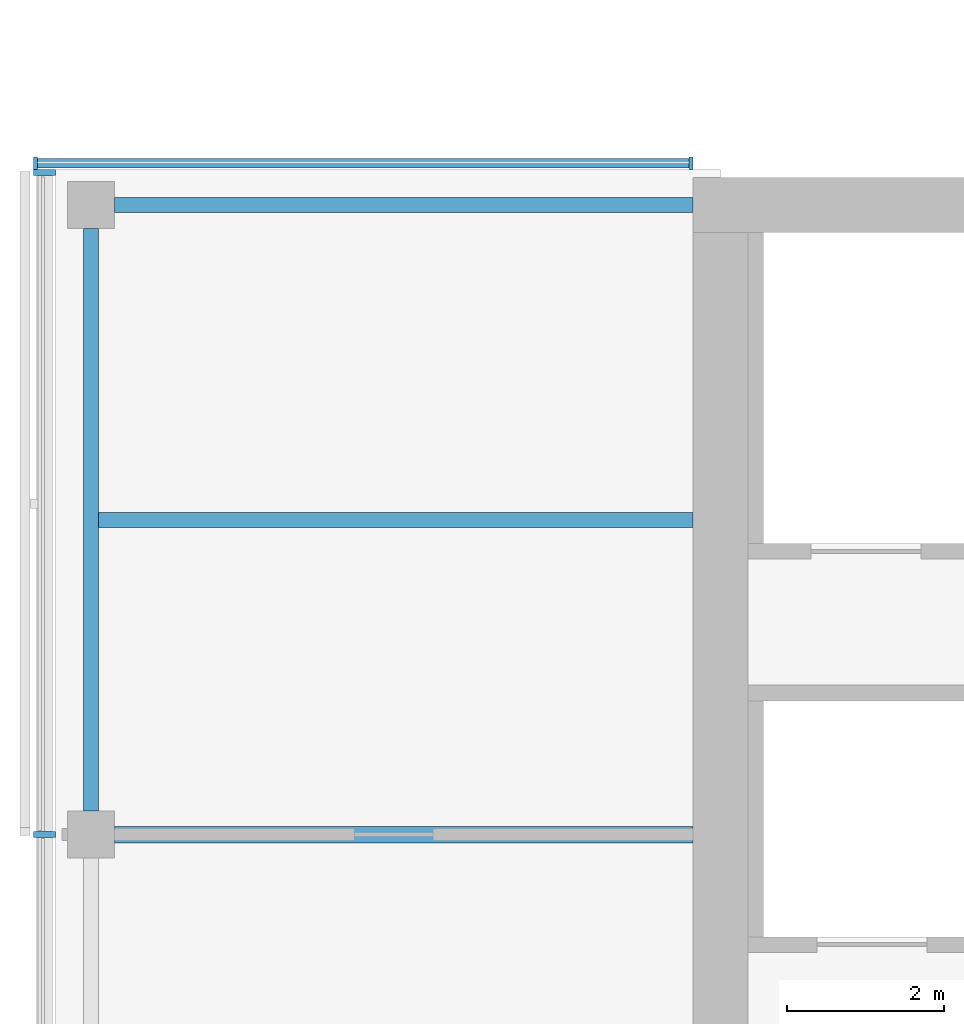
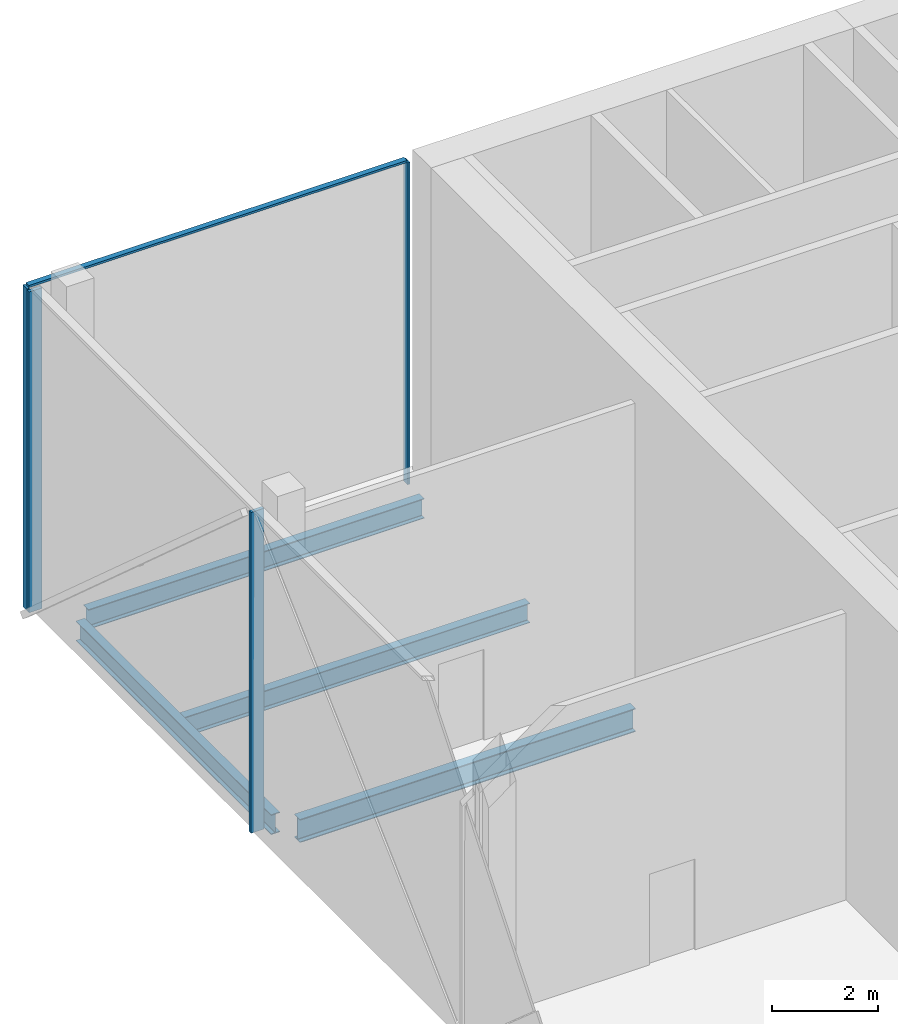
# One storey, part 5 of 20: 5 members, 4 beams, 2 elements without a shape of their own.
"""IFC4 building model written with IfcOpenShell, lengths in metres."""

from ifc_helpers import new_model, si_unit, direction, frame, origin, origin_2d, place, context, subcontext, project, spatial, rectangle, i_section, extrude, material, material_profile, profile_set, type_object, element, aggregate, save


model = new_model("IFC4")

# Units and contexts
model_context = context("Model", 3, precision=1e-05, world=origin(), true_north=direction((0.0, 1.0)))
body_context = subcontext(model_context, "Body", "Model", "MODEL_VIEW")
ifc_project = project(units=[si_unit("LENGTHUNIT", "METRE"), si_unit("AREAUNIT", "SQUARE_METRE"), si_unit("VOLUMEUNIT", "CUBIC_METRE"), si_unit("PLANEANGLEUNIT", "RADIAN"), si_unit("MASSUNIT", "GRAM", prefix="KILO")], contexts=[model_context])

# Site, building, storey
site_placement = place(None, origin())
site = spatial("IfcSite", under=ifc_project, at=site_placement, CompositionType="ELEMENT")
building_placement = place(site_placement, origin())
building = spatial("IfcBuilding", under=site, at=building_placement, Name="Crosswind Convention Tower", CompositionType="ELEMENT")
storey_placement = place(building_placement, frame((0.0, 0.0, 171.5)))
storey = spatial("IfcBuildingStorey", under=building, at=storey_placement, Name="L36", CompositionType="ELEMENT", Elevation=171.5)

# Beams
ifc_material_1 = material(Name="Steel S355", Category="steel")
ifc_material_profile_1 = material_profile(ifc_material_1, i_section(OverallWidth=0.19140625, OverallDepth=0.460205078125, WebThickness=0.010009765625, FlangeThickness=0.01611328125, FilletRadius=0.01025390625, at=origin_2d()), Name="UB 457x191x82")
ifc_profile_set_1 = profile_set([ifc_material_profile_1], Name="Steel S355")
beam_type_1 = type_object("IfcBeamType", Name="Edge beam UB 457x191x82", PredefinedType="SPANDREL", material=ifc_profile_set_1)
beam_1_placement = place(storey_placement, frame((89.0, 104.300048828125, -0.630126953125), z_axis=(0.0, 1.0, 0.0), x_axis=(-1.0, 0.0, 0.0)))
element("IfcBeam", 1, at=beam_1_placement, inside=storey, type_object=beam_type_1, Name="B18 L36 edge beam 3", PredefinedType="SPANDREL", context=body_context, shape_type="SweptSolid", body=[
    extrude(i_section(OverallWidth=0.19140625, OverallDepth=0.460205078125, WebThickness=0.010009765625, FlangeThickness=0.01611328125, FilletRadius=0.01025390625, at=origin_2d()), origin(), (0.0, 0.0, 1.0), 7.39990234375),
])
beam_2_placement = place(storey_placement, frame((89.300048828125, 112.0, -0.630126953125), z_axis=(1.0, 0.0, 0.0), x_axis=(0.0, 1.0, 0.0)))
element("IfcBeam", 2, at=beam_2_placement, inside=storey, type_object=beam_type_1, Name="B18 L36 edge beam 5", PredefinedType="SPANDREL", context=body_context, shape_type="SweptSolid", body=[
    extrude(i_section(OverallWidth=0.19140625, OverallDepth=0.460205078125, WebThickness=0.010009765625, FlangeThickness=0.01611328125, FilletRadius=0.01025390625, at=origin_2d()), origin(), (0.0, 0.0, 1.0), 7.349853515625),
])
ifc_material_profile_2 = material_profile(ifc_material_1, i_section(OverallWidth=0.210693359375, OverallDepth=0.53955078125, WebThickness=0.01171875, FlangeThickness=0.018798828125, FilletRadius=0.0126953125, at=origin_2d()), Name="UB 533x210x109")
ifc_profile_set_2 = profile_set([ifc_material_profile_2], Name="Steel S355")
beam_type_2 = type_object("IfcBeamType", Name="Girder at core wall UB 533x210x109", PredefinedType="BEAM", material=ifc_profile_set_2)
beam_3_placement = place(storey_placement, frame((89.300048828125, 104.0, -0.669677734375), z_axis=(1.0, 0.0, 0.0), x_axis=(0.0, 1.0, 0.0)))
element("IfcBeam", 3, at=beam_3_placement, inside=storey, type_object=beam_type_2, Name="B25 L36 girder at core wall 2", PredefinedType="BEAM", context=body_context, shape_type="SweptSolid", body=[
    extrude(i_section(OverallWidth=0.210693359375, OverallDepth=0.53955078125, WebThickness=0.01171875, FlangeThickness=0.018798828125, FilletRadius=0.0126953125, at=origin_2d()), origin(), (0.0, 0.0, 1.0), 7.349853515625),
])

# Curtain wall, members
ifc_material_2 = material(Name="Aluminium unitised curtain wall", Category="aluminium")
curtain_wall_type_1 = type_object("IfcCurtainWallType", Name="CORE END SLOT WALL 160", PredefinedType="USERDEFINED", material=ifc_material_2)
curtain_wall_1_placement = place(storey_placement, origin())
curtain_wall_1 = element("IfcCurtainWall", 4, at=curtain_wall_1_placement, inside=storey, type_object=curtain_wall_type_1, Name="CW6 L36 W-N.2-1 slot", ObjectType="UNITISED", PredefinedType="USERDEFINED")
ifc_material_3 = material(Name="Aluminium mullion", Category="aluminium")
ifc_material_profile_3 = material_profile(ifc_material_3, rectangle(XDim=0.159912109375, YDim=0.050048828125, at=origin_2d()), Name="AL 160X50")
ifc_profile_set_3 = profile_set([ifc_material_profile_3], Name="Aluminium mullion")
member_type_1 = type_object("IfcMemberType", Name="MULLION 50X160", PredefinedType="MULLION", material=ifc_profile_set_3)
member_1_placement = place(storey_placement, frame((96.625, 112.530029296875, -0.39990234375), z_axis=(0.0, 0.0, 1.0), x_axis=(0.0, 1.0, 0.0)))
member_1 = element("IfcMember", 5, at=member_1_placement, type_object=member_type_1, Name="CW6 mullion 1", PredefinedType="MULLION", context=body_context, shape_type="SweptSolid", body=[
    extrude(rectangle(XDim=0.159912109375, YDim=0.050048828125, at=origin_2d()), origin(), (0.0, 0.0, 1.0), 7.449951171875),
])
member_2_placement = place(storey_placement, frame((88.294921875, 112.530029296875, -0.39990234375), z_axis=(0.0, 0.0, 1.0), x_axis=(0.0, 1.0, 0.0)))
member_2 = element("IfcMember", 6, at=member_2_placement, type_object=member_type_1, Name="CW6 mullion 2", PredefinedType="MULLION", context=body_context, shape_type="SweptSolid", body=[
    extrude(rectangle(XDim=0.159912109375, YDim=0.050048828125, at=origin_2d()), origin(), (0.0, 0.0, 1.0), 7.449951171875),
])

curtain_wall_type_2 = type_object("IfcCurtainWallType", Name="SKY LOBBY AND LOUNGE WALL 280", PredefinedType="USERDEFINED", material=ifc_material_2)
curtain_wall_2_placement = place(storey_placement, origin())
curtain_wall_2 = element("IfcCurtainWall", 7, at=curtain_wall_2_placement, inside=storey, type_object=curtain_wall_type_2, Name="CW4 L36 W-TIP 1", ObjectType="UNITISED", PredefinedType="USERDEFINED")
ifc_material_profile_4 = material_profile(ifc_material_3, rectangle(XDim=0.280029296875, YDim=0.074951171875, at=origin_2d()), Name="AL 280X75")
ifc_profile_set_4 = profile_set([ifc_material_profile_4], Name="Aluminium mullion")
member_type_2 = type_object("IfcMemberType", Name="MULLION 75X280", PredefinedType="MULLION", material=ifc_profile_set_4)
member_3_placement = place(storey_placement, frame((88.409912109375, 112.41259765625, -0.39990234375), z_axis=(0.0, 0.0, 1.0), x_axis=(-1.0, 0.0, 0.0)))
member_3 = element("IfcMember", 8, at=member_3_placement, type_object=member_type_2, Name="CW4 mullion 1", PredefinedType="MULLION", context=body_context, shape_type="SweptSolid", body=[
    extrude(rectangle(XDim=0.280029296875, YDim=0.074951171875, at=origin_2d()), origin(), (0.0, 0.0, 1.0), 7.4248046875),
])
member_4_placement = place(storey_placement, frame((88.409912109375, 104.0, -0.39990234375), z_axis=(0.0, 0.0, 1.0), x_axis=(-1.0, 0.0, 0.0)))
member_4 = element("IfcMember", 9, at=member_4_placement, type_object=member_type_2, Name="CW4 mullion 2", PredefinedType="MULLION", context=body_context, shape_type="SweptSolid", body=[
    extrude(rectangle(XDim=0.280029296875, YDim=0.074951171875, at=origin_2d()), origin(), (0.0, 0.0, 1.0), 7.4248046875),
])
aggregate(curtain_wall_2, [member_3, member_4])

# Beam
ifc_material_profile_5 = material_profile(ifc_material_1, i_section(OverallWidth=0.18994140625, OverallDepth=0.45361328125, WebThickness=0.008544921875, FlangeThickness=0.0126953125, FilletRadius=0.01025390625, at=origin_2d()), Name="UB 457x191x67")
ifc_profile_set_5 = profile_set([ifc_material_profile_5], Name="Steel S355")
beam_type_3 = type_object("IfcBeamType", Name="Secondary beam UB 457x191x67", PredefinedType="JOIST", material=ifc_profile_set_5)
beam_4_placement = place(storey_placement, frame((89.095703125, 108.0, -0.626708984375), z_axis=(1.0, 0.0, 0.0), x_axis=(0.0, 1.0, 0.0)))
element("IfcBeam", 10, at=beam_4_placement, inside=storey, type_object=beam_type_3, Name="B11 L36 secondary beam 3", PredefinedType="JOIST", context=body_context, shape_type="SweptSolid", body=[
    extrude(i_section(OverallWidth=0.18994140625, OverallDepth=0.45361328125, WebThickness=0.008544921875, FlangeThickness=0.0126953125, FilletRadius=0.01025390625, at=origin_2d()), origin(), (0.0, 0.0, 1.0), 7.55419921875),
])

# Member
ifc_material_4 = material(Name="Aluminium transom", Category="aluminium")
ifc_material_profile_6 = material_profile(ifc_material_4, rectangle(XDim=0.1201171875, YDim=0.050048828125, at=origin_2d()), Name="AL 120X50")
ifc_profile_set_6 = profile_set([ifc_material_profile_6], Name="Aluminium transom")
member_type_3 = type_object("IfcMemberType", Name="TRANSOM 50X120", PredefinedType="USERDEFINED", material=ifc_profile_set_6)
member_5_placement = place(storey_placement, frame((96.60009765625, 112.530029296875, 7.074951171875), z_axis=(-1.0, 0.0, 0.0), x_axis=(0.0, -1.0, 0.0)))
member_5 = element("IfcMember", 11, at=member_5_placement, type_object=member_type_3, Name="CW6 transom", ObjectType="TRANSOM", PredefinedType="USERDEFINED", context=body_context, shape_type="SweptSolid", body=[
    extrude(rectangle(XDim=0.1201171875, YDim=0.050048828125, at=origin_2d()), origin(), (0.0, 0.0, 1.0), 8.280029296875),
])

aggregate(curtain_wall_1, [member_1, member_2, member_5])

save(model, "model.ifc")
